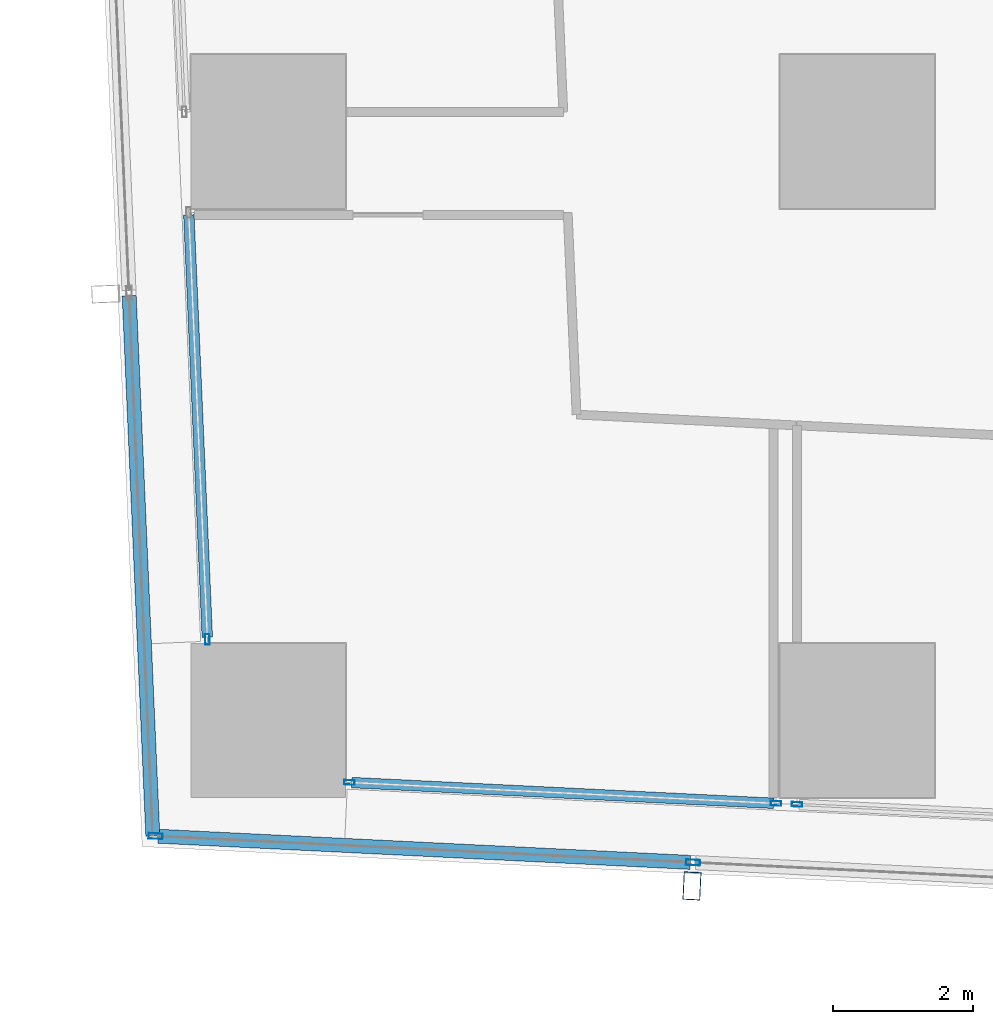
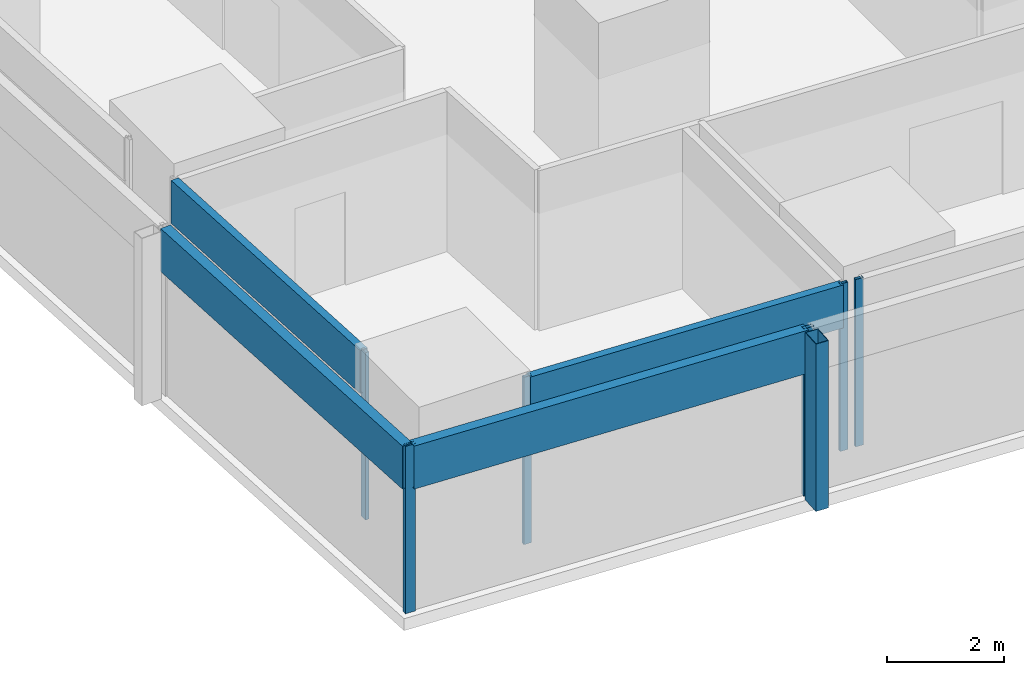
# One storey, part 2 of 44: 11 members, 5 elements without a shape of their own.
"""IFC4 building model written with IfcOpenShell, lengths in metres."""

from ifc_helpers import new_model, si_unit, direction, frame, origin, origin_2d, place, context, subcontext, project, spatial, hollow_rectangle, extrude, material, material_profile, profile_set, type_object, element, aggregate, save


model = new_model("IFC4")

# Units and contexts
model_context = context("Model", 3, precision=1e-05, world=origin(), true_north=direction((0.0, 1.0)))
body_context = subcontext(model_context, "Body", "Model", "MODEL_VIEW")
ifc_project = project(units=[si_unit("LENGTHUNIT", "METRE"), si_unit("AREAUNIT", "SQUARE_METRE"), si_unit("VOLUMEUNIT", "CUBIC_METRE"), si_unit("PLANEANGLEUNIT", "RADIAN"), si_unit("MASSUNIT", "GRAM", prefix="KILO")], contexts=[model_context])

# Site, building, storey
site_placement = place(None, origin())
site = spatial("IfcSite", under=ifc_project, at=site_placement, CompositionType="ELEMENT")
building_placement = place(site_placement, origin())
building = spatial("IfcBuilding", under=site, at=building_placement, Name="Rekha Terrace Tower", CompositionType="ELEMENT")
storey_placement = place(building_placement, frame((0.0, 0.0, 74.14990234375)))
storey = spatial("IfcBuildingStorey", under=building, at=storey_placement, Name="L18", CompositionType="ELEMENT", Elevation=74.14990234375)

# Curtain wall, member
ifc_material_1 = material(Name="Aluminium framing", Category="aluminium")
curtain_wall_type_1 = type_object("IfcCurtainWallType", Name="CW2 double skin outer glazing", PredefinedType="USERDEFINED", material=ifc_material_1)
curtain_wall_1_placement = place(storey_placement, origin())
curtain_wall_1 = element("IfcCurtainWall", 1, at=curtain_wall_1_placement, inside=storey, type_object=curtain_wall_type_1, Name="CW2 double skin outer glazing", ObjectType="DOUBLE SKIN OUTER GLAZING", PredefinedType="USERDEFINED")
ifc_material_2 = material(Name="Steel S355 with fluorocarbon finish", Category="steel")
ifc_material_profile_1 = material_profile(ifc_material_2, hollow_rectangle(XDim=0.25, YDim=0.39990234375, WallThickness=0.012451171875, at=origin_2d()), Name="RHS400x250x12.5")
ifc_profile_set_1 = profile_set([ifc_material_profile_1], Name="Steel S355 with fluorocarbon finish")
member_type_1 = type_object("IfcMemberType", Name="BL1 facade blade RHS 400 x 250", PredefinedType="USERDEFINED", material=ifc_profile_set_1)
member_1_placement = place(storey_placement, frame((14.443603515625, 6.03955078125, 0.0), z_axis=(0.0, 0.0, 1.0), x_axis=(0.998796226835, -0.049051985279, 0.0)))
member_1 = element("IfcMember", 2, at=member_1_placement, type_object=member_type_1, Name="Facade blade", ObjectType="FACADE BLADE", PredefinedType="USERDEFINED", context=body_context, shape_type="SweptSolid", body=[
    extrude(hollow_rectangle(XDim=0.25, YDim=0.39990234375, WallThickness=0.012451171875, at=origin_2d()), origin(), (0.0, 0.0, 1.0), 3.5),
])

# Curtain wall, members
curtain_wall_type_2 = type_object("IfcCurtainWallType", Name="CW1 double skin inner glazing", PredefinedType="USERDEFINED", material=ifc_material_1)
curtain_wall_2_placement = place(storey_placement, origin())
curtain_wall_2 = element("IfcCurtainWall", 3, at=curtain_wall_2_placement, inside=storey, type_object=curtain_wall_type_2, Name="CW1 double skin inner glazing", ObjectType="DOUBLE SKIN INNER GLAZING", PredefinedType="USERDEFINED")
ifc_material_3 = material(Name="Aluminium mullion section", Category="aluminium")
ifc_material_profile_2 = material_profile(ifc_material_3, hollow_rectangle(XDim=0.06494140625, YDim=0.14990234375, WallThickness=0.00390625, at=origin_2d()), Name="AL RHS 65x150")
ifc_profile_set_2 = profile_set([ifc_material_profile_2], Name="Aluminium mullion section")
member_type_2 = type_object("IfcMemberType", Name="CW1 mullion RHS 65 x 150", PredefinedType="MULLION", material=ifc_profile_set_2)
member_2_placement = place(storey_placement, frame((9.55712890625, 7.51611328125, 0.0), z_axis=(0.0, 0.0, 1.0), x_axis=(0.049051717693, 0.998796239977, 0.0)))
member_2 = element("IfcMember", 4, at=member_2_placement, type_object=member_type_2, Name="CW1 mullion 1", PredefinedType="MULLION", context=body_context, shape_type="SweptSolid", body=[
    extrude(hollow_rectangle(XDim=0.06494140625, YDim=0.14990234375, WallThickness=0.00390625, at=origin_2d()), origin(), (0.0, 0.0, 1.0), 3.5),
])
member_3_placement = place(storey_placement, frame((15.642822265625, 7.21728515625, 0.0), z_axis=(0.0, 0.0, 1.0), x_axis=(0.049051717693, 0.998796239977, 0.0)))
member_3 = element("IfcMember", 5, at=member_3_placement, type_object=member_type_2, Name="CW1 mullion 2", PredefinedType="MULLION", context=body_context, shape_type="SweptSolid", body=[
    extrude(hollow_rectangle(XDim=0.06494140625, YDim=0.14990234375, WallThickness=0.00390625, at=origin_2d()), origin(), (0.0, 0.0, 1.0), 3.5),
])

# Curtain wall, member
curtain_wall_3_placement = place(storey_placement, origin())
curtain_wall_3 = element("IfcCurtainWall", 6, at=curtain_wall_3_placement, inside=storey, type_object=curtain_wall_type_2, Name="CW1 double skin inner glazing", ObjectType="DOUBLE SKIN INNER GLAZING", PredefinedType="USERDEFINED")
member_4_placement = place(storey_placement, frame((15.94091796875, 7.20263671875, 0.0), z_axis=(0.0, 0.0, 1.0), x_axis=(0.049051717746, 0.998796239974, 0.0)))
member_4 = element("IfcMember", 7, at=member_4_placement, type_object=member_type_2, Name="CW1 mullion 1", PredefinedType="MULLION", context=body_context, shape_type="SweptSolid", body=[
    extrude(hollow_rectangle(XDim=0.06494140625, YDim=0.14990234375, WallThickness=0.00390625, at=origin_2d()), origin(), (0.0, 0.0, 1.0), 3.5),
])
aggregate(curtain_wall_3, [member_4])

curtain_wall_4_placement = place(storey_placement, origin())
curtain_wall_4 = element("IfcCurtainWall", 8, at=curtain_wall_4_placement, inside=storey, type_object=curtain_wall_type_2, Name="CW1 double skin inner glazing", ObjectType="DOUBLE SKIN INNER GLAZING", PredefinedType="USERDEFINED")
member_5_placement = place(storey_placement, frame((7.53173828125, 9.556640625, 0.0), z_axis=(0.0, 0.0, 1.0), x_axis=(0.999045462129, 0.043682543424, 0.0)))
member_5 = element("IfcMember", 9, at=member_5_placement, type_object=member_type_2, Name="CW1 mullion 2", PredefinedType="MULLION", context=body_context, shape_type="SweptSolid", body=[
    extrude(hollow_rectangle(XDim=0.06494140625, YDim=0.14990234375, WallThickness=0.00390625, at=origin_2d()), origin(), (0.0, 0.0, 1.0), 3.5),
])

# Member
ifc_material_4 = material(Name="Insulated aluminium spandrel box", Category="aluminium")
ifc_material_profile_3 = material_profile(ifc_material_4, hollow_rectangle(XDim=0.14990234375, YDim=0.89990234375, WallThickness=0.0029296875, at=origin_2d()), Name="AL SPANDREL BOX 150x900")
ifc_profile_set_3 = profile_set([ifc_material_profile_3], Name="Insulated aluminium spandrel box")
member_type_3 = type_object("IfcMemberType", Name="CW1 spandrel transom 150 x 900", PredefinedType="USERDEFINED", material=ifc_profile_set_3)
member_6_placement = place(storey_placement, frame((9.589599609375, 7.514404296875, 3.050048828125), z_axis=(0.99879648266, -0.049046775901, 0.0), x_axis=(0.049046775901, 0.99879648266, 0.0)))
member_6 = element("IfcMember", 10, at=member_6_placement, type_object=member_type_3, Name="CW1 spandrel transom 1", ObjectType="TRANSOM", PredefinedType="USERDEFINED", context=body_context, shape_type="SweptSolid", body=[
    extrude(hollow_rectangle(XDim=0.14990234375, YDim=0.89990234375, WallThickness=0.0029296875, at=origin_2d()), origin(), (0.0, 0.0, 1.0), 6.028076171875),
])

aggregate(curtain_wall_2, [member_2, member_3, member_6])

member_7_placement = place(storey_placement, frame((7.26708984375, 15.61083984375, 3.050048828125), z_axis=(0.043663972565, -0.999046273953, 0.0), x_axis=(0.999046273953, 0.043663972565, 0.0)))
member_7 = element("IfcMember", 11, at=member_7_placement, type_object=member_type_3, Name="CW1 spandrel transom 1", ObjectType="TRANSOM", PredefinedType="USERDEFINED", context=body_context, shape_type="SweptSolid", body=[
    extrude(hollow_rectangle(XDim=0.14990234375, YDim=0.89990234375, WallThickness=0.0029296875, at=origin_2d()), origin(), (0.0, 0.0, 1.0), 6.027587890625),
])

aggregate(curtain_wall_4, [member_5, member_7])

ifc_material_profile_4 = material_profile(ifc_material_3, hollow_rectangle(XDim=0.080078125, YDim=0.199951171875, WallThickness=0.00390625, at=origin_2d()), Name="AL RHS 80x200")
ifc_profile_set_4 = profile_set([ifc_material_profile_4], Name="Aluminium mullion section")
member_type_4 = type_object("IfcMemberType", Name="CW2 mullion RHS 80 x 200", PredefinedType="MULLION", material=ifc_profile_set_4)
member_8_placement = place(storey_placement, frame((6.79345703125, 6.750732421875, 0.0), z_axis=(0.0, 0.0, 1.0), x_axis=(0.049051717746, 0.998796239974, 0.0)))
member_8 = element("IfcMember", 12, at=member_8_placement, type_object=member_type_4, Name="CW2 mullion 1", PredefinedType="MULLION", context=body_context, shape_type="SweptSolid", body=[
    extrude(hollow_rectangle(XDim=0.080078125, YDim=0.199951171875, WallThickness=0.00390625, at=origin_2d()), origin(), (0.0, 0.0, 1.0), 3.5),
])

member_9_placement = place(storey_placement, frame((14.4599609375, 6.374267578125, 0.0), z_axis=(0.0, 0.0, 1.0), x_axis=(0.049051717746, 0.998796239974, 0.0)))
member_9 = element("IfcMember", 13, at=member_9_placement, type_object=member_type_4, Name="CW2 mullion 2", PredefinedType="MULLION", context=body_context, shape_type="SweptSolid", body=[
    extrude(hollow_rectangle(XDim=0.080078125, YDim=0.199951171875, WallThickness=0.00390625, at=origin_2d()), origin(), (0.0, 0.0, 1.0), 3.5),
])

ifc_material_profile_5 = material_profile(ifc_material_4, hollow_rectangle(XDim=0.199951171875, YDim=0.89990234375, WallThickness=0.0029296875, at=origin_2d()), Name="AL SPANDREL BOX 200x900")
ifc_profile_set_5 = profile_set([ifc_material_profile_5], Name="Insulated aluminium spandrel box")
member_type_5 = type_object("IfcMemberType", Name="CW2 spandrel transom 200 x 900", PredefinedType="USERDEFINED", material=ifc_profile_set_5)
member_10_placement = place(storey_placement, frame((6.83349609375, 6.748779296875, 3.050048828125), z_axis=(0.99879635036, -0.049049469996, 0.0), x_axis=(0.049049469996, 0.99879635036, 0.0)))
member_10 = element("IfcMember", 14, at=member_10_placement, type_object=member_type_5, Name="CW2 spandrel transom 1", ObjectType="TRANSOM", PredefinedType="USERDEFINED", context=body_context, shape_type="SweptSolid", body=[
    extrude(hollow_rectangle(XDim=0.199951171875, YDim=0.89990234375, WallThickness=0.0029296875, at=origin_2d()), origin(), (0.0, 0.0, 1.0), 7.595458984375),
])

aggregate(curtain_wall_1, [member_8, member_9, member_10, member_1])

# Curtain wall, member
curtain_wall_5_placement = place(storey_placement, origin())
curtain_wall_5 = element("IfcCurtainWall", 15, at=curtain_wall_5_placement, inside=storey, type_object=curtain_wall_type_1, Name="CW2 double skin outer glazing", ObjectType="DOUBLE SKIN OUTER GLAZING", PredefinedType="USERDEFINED")
member_11_placement = place(storey_placement, frame((6.41650390625, 14.45703125, 3.050048828125), z_axis=(0.043688638652, -0.999045195601, 0.0), x_axis=(0.999045195601, 0.043688638652, 0.0)))
member_11 = element("IfcMember", 16, at=member_11_placement, type_object=member_type_5, Name="CW2 spandrel transom 5", ObjectType="TRANSOM", PredefinedType="USERDEFINED", context=body_context, shape_type="SweptSolid", body=[
    extrude(hollow_rectangle(XDim=0.199951171875, YDim=0.89990234375, WallThickness=0.0029296875, at=origin_2d()), origin(), (0.0, 0.0, 1.0), 7.711669921875),
])
aggregate(curtain_wall_5, [member_11])

save(model, "model.ifc")
